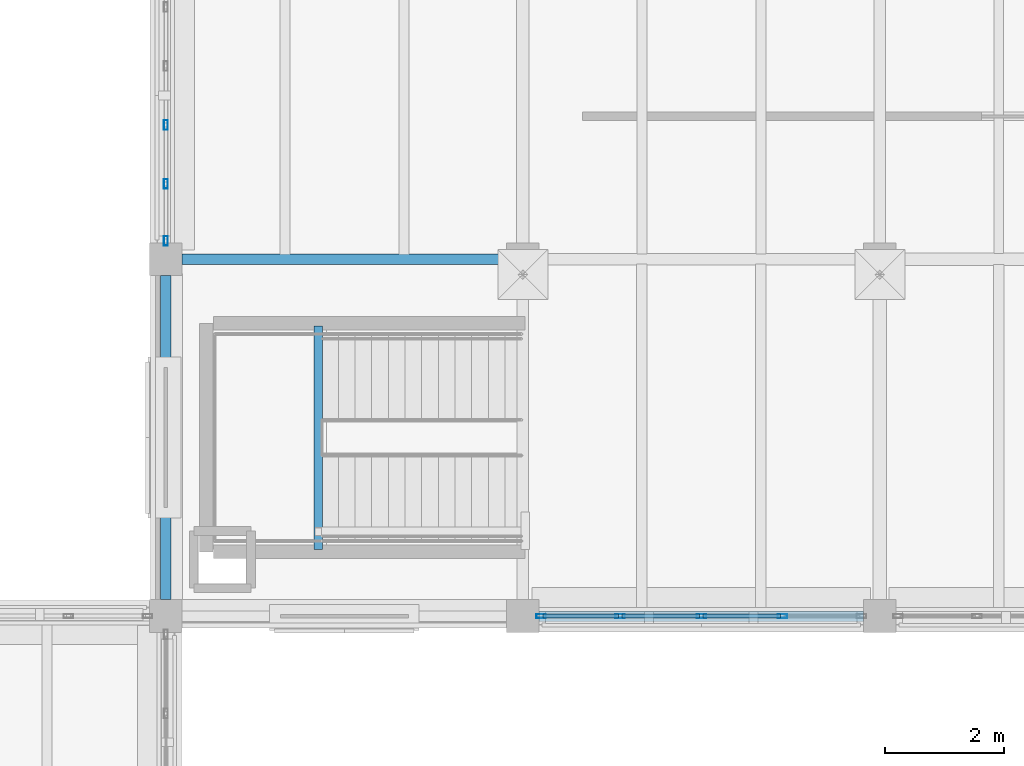
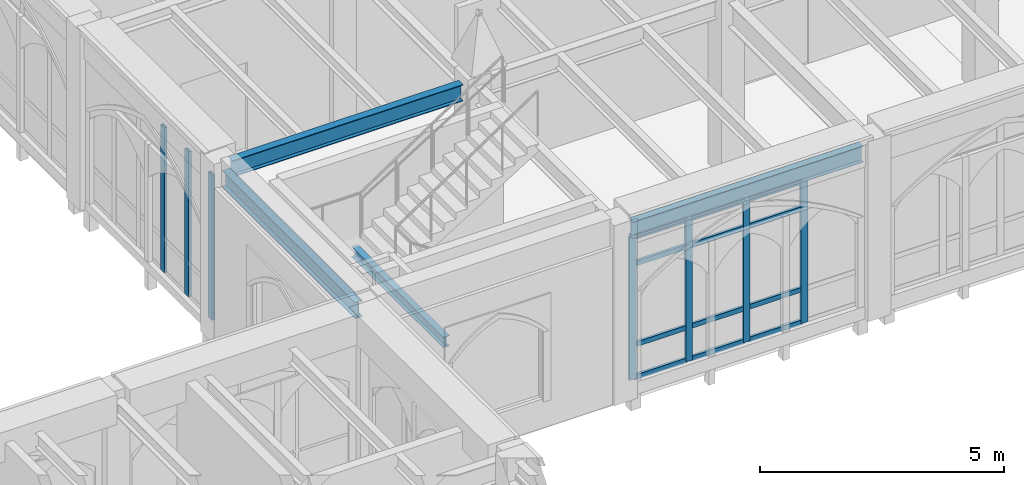
# One storey, part 15 of 108: 19 members, 4 beams, 2 elements without a shape of their own.
"""IFC4 building model written with IfcOpenShell, lengths in metres."""

from ifc_helpers import new_model, si_unit, direction, frame, origin, origin_2d, place, context, subcontext, project, spatial, hollow_rectangle, i_section, extrude, material, layer, layer_set, material_profile, profile_set, type_object, element, aggregate, save


model = new_model("IFC4")

# Units and contexts
model_context = context("Model", 3, precision=1e-05, world=origin(), true_north=direction((0.0, 1.0)))
body_context = subcontext(model_context, "Body", "Model", "MODEL_VIEW")
ifc_project = project(units=[si_unit("LENGTHUNIT", "METRE"), si_unit("AREAUNIT", "SQUARE_METRE"), si_unit("VOLUMEUNIT", "CUBIC_METRE"), si_unit("PLANEANGLEUNIT", "RADIAN"), si_unit("MASSUNIT", "GRAM", prefix="KILO")], contexts=[model_context])

# Site, building, storey
site_placement = place(None, origin())
site = spatial("IfcSite", under=ifc_project, at=site_placement, CompositionType="ELEMENT")
building_placement = place(site_placement, origin())
building = spatial("IfcBuilding", under=site, at=building_placement, Name="Cumevento Cable Car Station", CompositionType="ELEMENT")
storey_placement = place(building_placement, frame((0.0, 0.0, 13.5)))
storey = spatial("IfcBuildingStorey", under=building, at=storey_placement, Name="L04", CompositionType="ELEMENT", Elevation=13.5)

# Curtain wall, members
ifc_material_1 = material(Name="Anodised Bronze Aluminium AW-6063-T6", Category="aluminium")
ifc_layer_1 = layer(ifc_material_1, 0.22607421875)
ifc_layer_set_1 = layer_set([ifc_layer_1], Name="Anodised Bronze Aluminium AW-6063-T6")
curtain_wall_type_1 = type_object("IfcCurtainWallType", Name="Lancet Curtain Wall CW-12 1490", PredefinedType="NOTDEFINED", material=ifc_layer_set_1)
curtain_wall_1_placement = place(storey_placement, origin())
curtain_wall_1 = element("IfcCurtainWall", 1, at=curtain_wall_1_placement, inside=storey, type_object=curtain_wall_type_1, Name="Lancet Curtain Wall CW-12 L04 #155", PredefinedType="NOTDEFINED")
ifc_material_2 = material(Name="Anodised Bronze Aluminium AW-6063-T6", Category="aluminium")
ifc_material_profile_1 = material_profile(ifc_material_2, hollow_rectangle(XDim=0.06494140625, YDim=0.159912109375, WallThickness=0.00390625, at=origin_2d()), Name="ALUM65x160x4")
ifc_profile_set_1 = profile_set([ifc_material_profile_1], Name="Anodised Bronze Aluminium AW-6063-T6")
member_type_1 = type_object("IfcMemberType", Name="Curtain Mullion CWM-01 ALUM65x160x4", PredefinedType="MULLION", material=ifc_profile_set_1)
member_1_placement = place(storey_placement, frame((32.362548828125, 45.0, 0.31005859375), z_axis=(0.0, 0.0, 1.0), x_axis=(0.0, -1.0, 0.0)))
member_1 = element("IfcMember", 2, at=member_1_placement, type_object=member_type_1, Name="CW-12 mullion 2", PredefinedType="MULLION", context=body_context, shape_type="SweptSolid", body=[
    extrude(hollow_rectangle(XDim=0.06494140625, YDim=0.159912109375, WallThickness=0.00390625, at=origin_2d()), origin(), (0.0, 0.0, 1.0), 3.571044921875),
])
member_2_placement = place(storey_placement, frame((31.0, 45.0, 0.31005859375), z_axis=(0.0, 0.0, 1.0), x_axis=(0.0, -1.0, 0.0)))
member_2 = element("IfcMember", 3, at=member_2_placement, type_object=member_type_1, Name="CW-12 mullion 3", PredefinedType="MULLION", context=body_context, shape_type="SweptSolid", body=[
    extrude(hollow_rectangle(XDim=0.06494140625, YDim=0.159912109375, WallThickness=0.00390625, at=origin_2d()), origin(), (0.0, 0.0, 1.0), 3.571044921875),
])
member_3_placement = place(storey_placement, frame((29.637451171875, 45.0, 0.31005859375), z_axis=(0.0, 0.0, 1.0), x_axis=(0.0, -1.0, 0.0)))
member_3 = element("IfcMember", 4, at=member_3_placement, type_object=member_type_1, Name="CW-12 mullion 4", PredefinedType="MULLION", context=body_context, shape_type="SweptSolid", body=[
    extrude(hollow_rectangle(XDim=0.06494140625, YDim=0.159912109375, WallThickness=0.00390625, at=origin_2d()), origin(), (0.0, 0.0, 1.0), 3.571044921875),
])
member_4_placement = place(storey_placement, frame((28.3076171875, 45.0, 0.31005859375), z_axis=(0.0, 0.0, 1.0), x_axis=(0.0, -1.0, 0.0)))
member_4 = element("IfcMember", 5, at=member_4_placement, type_object=member_type_1, Name="CW-12 mullion 5", PredefinedType="MULLION", context=body_context, shape_type="SweptSolid", body=[
    extrude(hollow_rectangle(XDim=0.06494140625, YDim=0.159912109375, WallThickness=0.00390625, at=origin_2d()), origin(), (0.0, 0.0, 1.0), 3.571044921875),
])

ifc_material_3 = material(Name="Anodised Bronze Aluminium AW-6063-T6", Category="aluminium")
ifc_layer_2 = layer(ifc_material_3, 0.166015625)
ifc_layer_set_2 = layer_set([ifc_layer_2], Name="Anodised Bronze Aluminium AW-6063-T6")
curtain_wall_type_2 = type_object("IfcCurtainWallType", Name="Lancet Curtain Wall CW-02 1090", PredefinedType="NOTDEFINED", material=ifc_layer_set_2)
curtain_wall_2_placement = place(storey_placement, origin())
curtain_wall_2 = element("IfcCurtainWall", 6, at=curtain_wall_2_placement, inside=storey, type_object=curtain_wall_type_2, Name="Lancet Curtain Wall CW-02 L04 #161", PredefinedType="NOTDEFINED")
member_5_placement = place(storey_placement, frame((22.0, 51.3076171875, 0.2099609375), z_axis=(0.0, 0.0, 1.0), x_axis=(-1.0, 0.0, 0.0)))
member_5 = element("IfcMember", 7, at=member_5_placement, type_object=member_type_1, Name="CW-02 mullion 1", PredefinedType="MULLION", context=body_context, shape_type="SweptSolid", body=[
    extrude(hollow_rectangle(XDim=0.06494140625, YDim=0.159912109375, WallThickness=0.00390625, at=origin_2d()), origin(), (0.0, 0.0, 1.0), 3.633056640625),
])
member_6_placement = place(storey_placement, frame((22.0, 52.264892578125, 0.2099609375), z_axis=(0.0, 0.0, 1.0), x_axis=(-1.0, 0.0, 0.0)))
member_6 = element("IfcMember", 8, at=member_6_placement, type_object=member_type_1, Name="CW-02 mullion 2", PredefinedType="MULLION", context=body_context, shape_type="SweptSolid", body=[
    extrude(hollow_rectangle(XDim=0.06494140625, YDim=0.159912109375, WallThickness=0.00390625, at=origin_2d()), origin(), (0.0, 0.0, 1.0), 3.633056640625),
])
member_7_placement = place(storey_placement, frame((22.0, 53.2548828125, 0.2099609375), z_axis=(0.0, 0.0, 1.0), x_axis=(-1.0, 0.0, 0.0)))
member_7 = element("IfcMember", 9, at=member_7_placement, type_object=member_type_1, Name="CW-02 mullion 3", PredefinedType="MULLION", context=body_context, shape_type="SweptSolid", body=[
    extrude(hollow_rectangle(XDim=0.06494140625, YDim=0.159912109375, WallThickness=0.00390625, at=origin_2d()), origin(), (0.0, 0.0, 1.0), 3.633056640625),
])
aggregate(curtain_wall_2, [member_5, member_6, member_7])

# Member
ifc_material_4 = material(Name="Anodised Bronze Aluminium AW-6063-T6", Category="aluminium")
ifc_material_profile_2 = material_profile(ifc_material_4, hollow_rectangle(XDim=0.06494140625, YDim=0.1201171875, WallThickness=0.00390625, at=origin_2d()), Name="ALUT65x120x4")
ifc_profile_set_2 = profile_set([ifc_material_profile_2], Name="Anodised Bronze Aluminium AW-6063-T6")
member_type_2 = type_object("IfcMemberType", Name="Curtain Transom CWT-01 ALUT65x120x4", PredefinedType="USERDEFINED", material=ifc_profile_set_2)
member_8_placement = place(storey_placement, frame((32.330078125, 45.0, 0.342529296875), z_axis=(-1.0, 0.0, 0.0), x_axis=(0.0, -1.0, 0.0)))
member_8 = element("IfcMember", 10, at=member_8_placement, type_object=member_type_2, Name="CW-12 transom 2.1", ObjectType="TRANSOM", PredefinedType="USERDEFINED", context=body_context, shape_type="SweptSolid", body=[
    extrude(hollow_rectangle(XDim=0.06494140625, YDim=0.1201171875, WallThickness=0.00390625, at=origin_2d()), origin(), (0.0, 0.0, 1.0), 1.297607421875),
])

member_9_placement = place(storey_placement, frame((32.330078125, 45.0, 1.159912109375), z_axis=(-1.0, 0.0, 0.0), x_axis=(0.0, -1.0, 0.0)))
member_9 = element("IfcMember", 11, at=member_9_placement, type_object=member_type_2, Name="CW-12 transom 2.2", ObjectType="TRANSOM", PredefinedType="USERDEFINED", context=body_context, shape_type="SweptSolid", body=[
    extrude(hollow_rectangle(XDim=0.06494140625, YDim=0.1201171875, WallThickness=0.00390625, at=origin_2d()), origin(), (0.0, 0.0, 1.0), 1.297607421875),
])

member_10_placement = place(storey_placement, frame((32.330078125, 45.0, 3.180908203125), z_axis=(-1.0, 0.0, 0.0), x_axis=(0.0, -1.0, 0.0)))
member_10 = element("IfcMember", 12, at=member_10_placement, type_object=member_type_2, Name="CW-12 transom 2.3", ObjectType="TRANSOM", PredefinedType="USERDEFINED", context=body_context, shape_type="SweptSolid", body=[
    extrude(hollow_rectangle(XDim=0.06494140625, YDim=0.1201171875, WallThickness=0.00390625, at=origin_2d()), origin(), (0.0, 0.0, 1.0), 1.297607421875),
])

member_11_placement = place(storey_placement, frame((32.330078125, 45.0, 3.848388671875), z_axis=(-1.0, 0.0, 0.0), x_axis=(0.0, -1.0, 0.0)))
member_11 = element("IfcMember", 13, at=member_11_placement, type_object=member_type_2, Name="CW-12 transom 2.4", ObjectType="TRANSOM", PredefinedType="USERDEFINED", context=body_context, shape_type="SweptSolid", body=[
    extrude(hollow_rectangle(XDim=0.06494140625, YDim=0.1201171875, WallThickness=0.00390625, at=origin_2d()), origin(), (0.0, 0.0, 1.0), 1.297607421875),
])

member_12_placement = place(storey_placement, frame((30.967529296875, 45.0, 0.342529296875), z_axis=(-1.0, 0.0, 0.0), x_axis=(0.0, -1.0, 0.0)))
member_12 = element("IfcMember", 14, at=member_12_placement, type_object=member_type_2, Name="CW-12 transom 3.1", ObjectType="TRANSOM", PredefinedType="USERDEFINED", context=body_context, shape_type="SweptSolid", body=[
    extrude(hollow_rectangle(XDim=0.06494140625, YDim=0.1201171875, WallThickness=0.00390625, at=origin_2d()), origin(), (0.0, 0.0, 1.0), 1.297607421875),
])

member_13_placement = place(storey_placement, frame((30.967529296875, 45.0, 1.159912109375), z_axis=(-1.0, 0.0, 0.0), x_axis=(0.0, -1.0, 0.0)))
member_13 = element("IfcMember", 15, at=member_13_placement, type_object=member_type_2, Name="CW-12 transom 3.2", ObjectType="TRANSOM", PredefinedType="USERDEFINED", context=body_context, shape_type="SweptSolid", body=[
    extrude(hollow_rectangle(XDim=0.06494140625, YDim=0.1201171875, WallThickness=0.00390625, at=origin_2d()), origin(), (0.0, 0.0, 1.0), 1.297607421875),
])

member_14_placement = place(storey_placement, frame((30.967529296875, 45.0, 3.180908203125), z_axis=(-1.0, 0.0, 0.0), x_axis=(0.0, -1.0, 0.0)))
member_14 = element("IfcMember", 16, at=member_14_placement, type_object=member_type_2, Name="CW-12 transom 3.3", ObjectType="TRANSOM", PredefinedType="USERDEFINED", context=body_context, shape_type="SweptSolid", body=[
    extrude(hollow_rectangle(XDim=0.06494140625, YDim=0.1201171875, WallThickness=0.00390625, at=origin_2d()), origin(), (0.0, 0.0, 1.0), 1.297607421875),
])

member_15_placement = place(storey_placement, frame((30.967529296875, 45.0, 3.848388671875), z_axis=(-1.0, 0.0, 0.0), x_axis=(0.0, -1.0, 0.0)))
member_15 = element("IfcMember", 17, at=member_15_placement, type_object=member_type_2, Name="CW-12 transom 3.4", ObjectType="TRANSOM", PredefinedType="USERDEFINED", context=body_context, shape_type="SweptSolid", body=[
    extrude(hollow_rectangle(XDim=0.06494140625, YDim=0.1201171875, WallThickness=0.00390625, at=origin_2d()), origin(), (0.0, 0.0, 1.0), 1.297607421875),
])

member_16_placement = place(storey_placement, frame((29.60498046875, 45.0, 0.342529296875), z_axis=(-1.0, 0.0, 0.0), x_axis=(0.0, -1.0, 0.0)))
member_16 = element("IfcMember", 18, at=member_16_placement, type_object=member_type_2, Name="CW-12 transom 4.1", ObjectType="TRANSOM", PredefinedType="USERDEFINED", context=body_context, shape_type="SweptSolid", body=[
    extrude(hollow_rectangle(XDim=0.06494140625, YDim=0.1201171875, WallThickness=0.00390625, at=origin_2d()), origin(), (0.0, 0.0, 1.0), 1.264892578125),
])

member_17_placement = place(storey_placement, frame((29.60498046875, 45.0, 1.159912109375), z_axis=(-1.0, 0.0, 0.0), x_axis=(0.0, -1.0, 0.0)))
member_17 = element("IfcMember", 19, at=member_17_placement, type_object=member_type_2, Name="CW-12 transom 4.2", ObjectType="TRANSOM", PredefinedType="USERDEFINED", context=body_context, shape_type="SweptSolid", body=[
    extrude(hollow_rectangle(XDim=0.06494140625, YDim=0.1201171875, WallThickness=0.00390625, at=origin_2d()), origin(), (0.0, 0.0, 1.0), 1.264892578125),
])

member_18_placement = place(storey_placement, frame((29.60498046875, 45.0, 3.180908203125), z_axis=(-1.0, 0.0, 0.0), x_axis=(0.0, -1.0, 0.0)))
member_18 = element("IfcMember", 20, at=member_18_placement, type_object=member_type_2, Name="CW-12 transom 4.3", ObjectType="TRANSOM", PredefinedType="USERDEFINED", context=body_context, shape_type="SweptSolid", body=[
    extrude(hollow_rectangle(XDim=0.06494140625, YDim=0.1201171875, WallThickness=0.00390625, at=origin_2d()), origin(), (0.0, 0.0, 1.0), 1.264892578125),
])

member_19_placement = place(storey_placement, frame((29.60498046875, 45.0, 3.848388671875), z_axis=(-1.0, 0.0, 0.0), x_axis=(0.0, -1.0, 0.0)))
member_19 = element("IfcMember", 21, at=member_19_placement, type_object=member_type_2, Name="CW-12 transom 4.4", ObjectType="TRANSOM", PredefinedType="USERDEFINED", context=body_context, shape_type="SweptSolid", body=[
    extrude(hollow_rectangle(XDim=0.06494140625, YDim=0.1201171875, WallThickness=0.00390625, at=origin_2d()), origin(), (0.0, 0.0, 1.0), 1.264892578125),
])

aggregate(curtain_wall_1, [member_1, member_2, member_3, member_4, member_8, member_9, member_10, member_11, member_12, member_13, member_14, member_15, member_16, member_17, member_18, member_19])

# Beams
ifc_material_5 = material(Name="Steel ASTM A572 Grade 50", Category="steel")
ifc_material_profile_3 = material_profile(ifc_material_5, i_section(OverallWidth=0.14794921875, OverallDepth=0.26611328125, WebThickness=0.007568359375, FlangeThickness=0.012939453125, at=origin_2d()), Name="W250x44.8")
ifc_profile_set_3 = profile_set([ifc_material_profile_3], Name="Steel ASTM A572 Grade 50")
beam_type_1 = type_object("IfcBeamType", Name="Structural Beam BM-07 W250x44.8", PredefinedType="BEAM", material=ifc_profile_set_3)
beam_1_placement = place(storey_placement, frame((24.56005859375, 46.1201171875, 1.8701171875), z_axis=(0.0, 1.0, 0.0), x_axis=(-1.0, 0.0, 0.0)))
element("IfcBeam", 22, at=beam_1_placement, inside=storey, type_object=beam_type_1, Name="Stair Half-Landing Trimmer ST-12", PredefinedType="BEAM", context=body_context, shape_type="SweptSolid", body=[
    extrude(i_section(OverallWidth=0.14794921875, OverallDepth=0.26611328125, WebThickness=0.007568359375, FlangeThickness=0.012939453125, at=origin_2d()), origin(), (0.0, 0.0, 1.0), 3.759765625),
])
ifc_material_6 = material(Name="Steel ASTM A572 Grade 50", Category="steel")
ifc_material_profile_4 = material_profile(ifc_material_6, i_section(OverallWidth=0.179931640625, OverallDepth=0.4130859375, WebThickness=0.009765625, FlangeThickness=0.01611328125, at=origin_2d()), Name="W410x74.0")
ifc_profile_set_4 = profile_set([ifc_material_profile_4], Name="Steel ASTM A572 Grade 50")
beam_type_2 = type_object("IfcBeamType", Name="Structural Beam BM-09 W410x74.0", PredefinedType="BEAM", material=ifc_profile_set_4)
beam_2_placement = place(storey_placement, frame((22.27490234375, 51.0, 4.08154296875), z_axis=(1.0, 0.0, 0.0), x_axis=(0.0, 1.0, 0.0)))
element("IfcBeam", 23, at=beam_2_placement, inside=storey, type_object=beam_type_2, Name="Beam BM-09 L04 #1382", PredefinedType="BEAM", context=body_context, shape_type="SweptSolid", body=[
    extrude(i_section(OverallWidth=0.179931640625, OverallDepth=0.4130859375, WebThickness=0.009765625, FlangeThickness=0.01611328125, at=origin_2d()), origin(), (0.0, 0.0, 1.0), 5.4501953125),
])
ifc_material_7 = material(Name="Steel ASTM A572 Grade 50", Category="steel")
ifc_material_profile_5 = material_profile(ifc_material_7, i_section(OverallWidth=0.177978515625, OverallDepth=0.406982421875, WebThickness=0.0078125, FlangeThickness=0.0126953125, at=origin_2d()), Name="W410x60.0")
ifc_profile_set_5 = profile_set([ifc_material_profile_5], Name="Steel ASTM A572 Grade 50")
beam_type_3 = type_object("IfcBeamType", Name="Structural Spandrel SP-01 W410x60.0", PredefinedType="SPANDREL", material=ifc_profile_set_5)
for number, where, z_axis, x_axis, name in (
    (24, (28.27490234375, 45.0, 4.08447265625), (1.0, 0.0, 0.0), (0.0, 1.0, 0.0), "Beam SP-01 L04 #1378"),
    (25, (22.0, 45.27490234375, 4.08447265625), (0.0, 1.0, 0.0), (-1.0, 0.0, 0.0), "Beam SP-01 L04 #1392"),
):
    element("IfcBeam", number, at=place(storey_placement, frame(where, z_axis=z_axis, x_axis=x_axis)), inside=storey, type_object=beam_type_3, Name=name, PredefinedType="SPANDREL", context=body_context, shape_type="SweptSolid", body=[
        extrude(i_section(OverallWidth=0.177978515625, OverallDepth=0.406982421875, WebThickness=0.0078125, FlangeThickness=0.0126953125, at=origin_2d()), origin(), (0.0, 0.0, 1.0), 5.4501953125),
    ])

save(model, "model.ifc")
